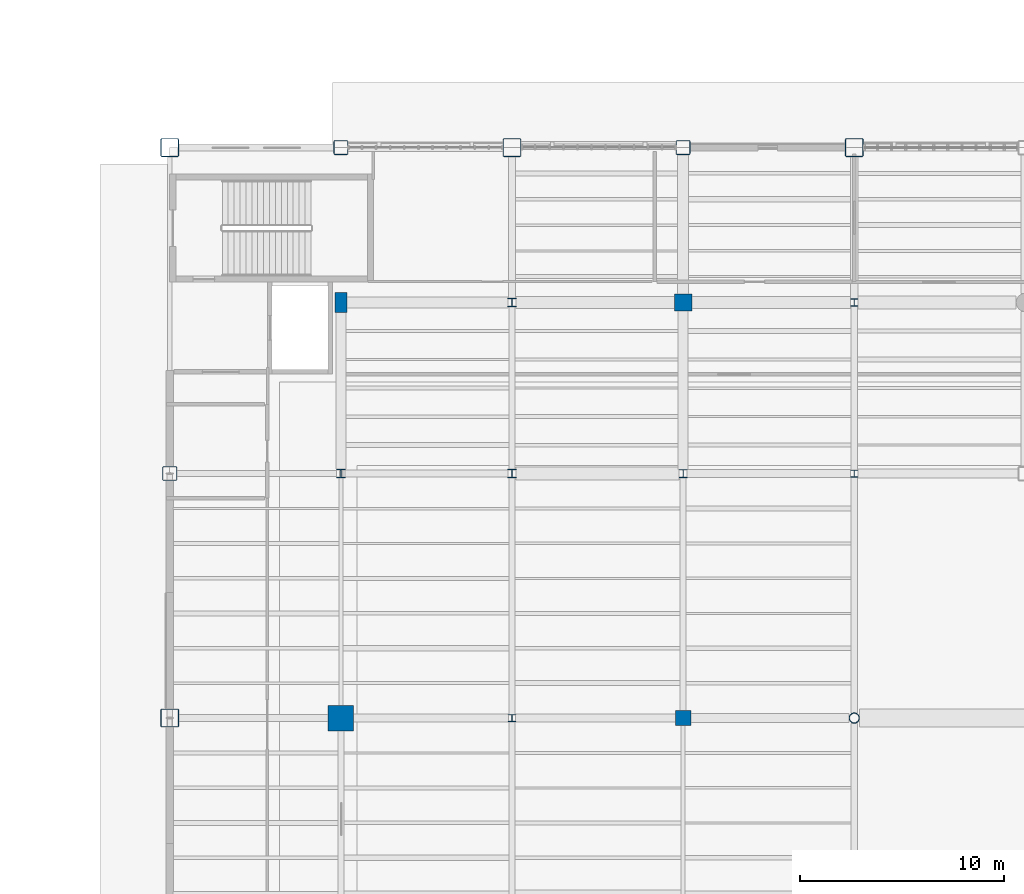
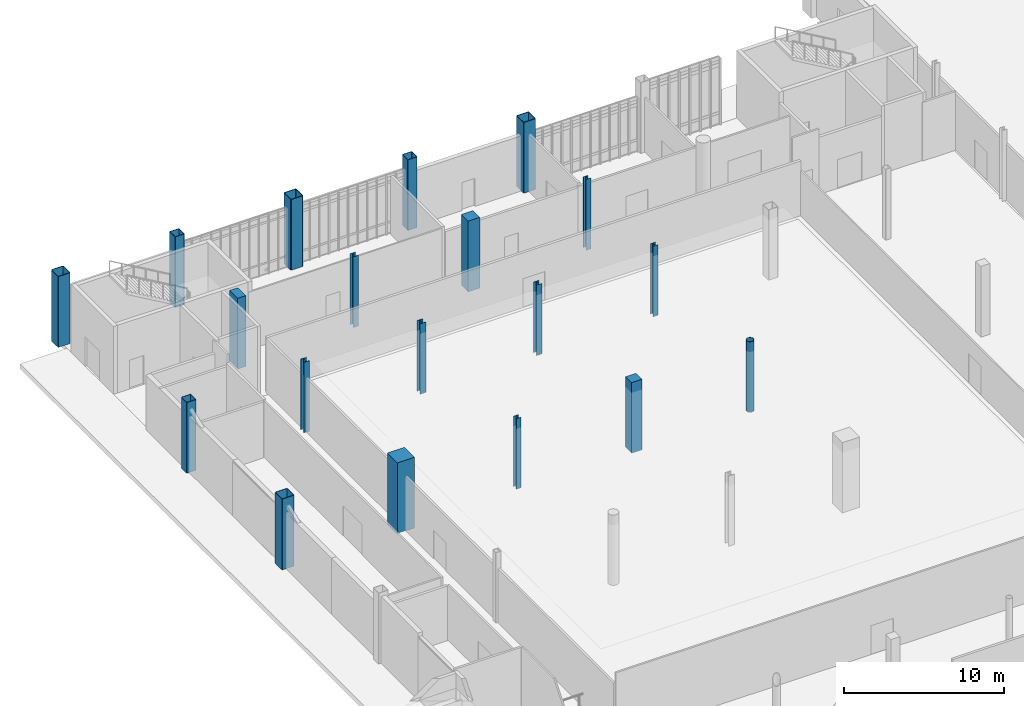
# One storey, part 8 of 111: 19 columns.
"""IFC4 building model written with IfcOpenShell, lengths in metres."""

from ifc_helpers import new_model, si_unit, direction, frame, origin, origin_2d, place, context, subcontext, project, spatial, rectangle, hollow_rectangle, hollow_circle, i_section, extrude, material, material_profile, profile_set, type_object, element, save


model = new_model("IFC4")

# Units and contexts
model_context = context("Model", 3, precision=1e-05, world=origin(), true_north=direction((0.0, 1.0)))
body_context = subcontext(model_context, "Body", "Model", "MODEL_VIEW")
ifc_project = project(units=[si_unit("LENGTHUNIT", "METRE"), si_unit("AREAUNIT", "SQUARE_METRE"), si_unit("VOLUMEUNIT", "CUBIC_METRE"), si_unit("PLANEANGLEUNIT", "RADIAN"), si_unit("MASSUNIT", "GRAM", prefix="KILO")], contexts=[model_context])

# Site, building, storey
site_placement = place(None, origin())
site = spatial("IfcSite", under=ifc_project, at=site_placement, CompositionType="ELEMENT")
building_placement = place(site_placement, origin())
building = spatial("IfcBuilding", under=site, at=building_placement, Name="Larkvane Passage Sports Hall", CompositionType="ELEMENT")
storey_placement = place(building_placement, origin())
storey = spatial("IfcBuildingStorey", under=building, at=storey_placement, Name="L00", CompositionType="ELEMENT", Elevation=0.0)

# Columns
ifc_material_1 = material(Name="Concrete C50/60", Category="concrete")
ifc_material_profile_1 = material_profile(ifc_material_1, rectangle(XDim=1.25, YDim=1.25, at=origin_2d()), Name="RC-COL-1250x1250")
ifc_profile_set_1 = profile_set([ifc_material_profile_1], Name="Concrete C50/60")
column_type_1 = type_object("IfcColumnType", Name="COL-RC-1250", PredefinedType="COLUMN", material=ifc_profile_set_1)
column_1_placement = place(storey_placement, frame((43.199951171875, 63.60009765625, 0.0), z_axis=(0.0, 0.0, 1.0), x_axis=(1.0, 0.0, 0.0)))
element("IfcColumn", 1, at=column_1_placement, inside=storey, type_object=column_type_1, Name="Column 7/H L00", PredefinedType="COLUMN", context=body_context, shape_type="SweptSolid", body=[
    extrude(rectangle(XDim=1.25, YDim=1.25, at=origin_2d()), origin(), (0.0, 0.0, 1.0), 5.39990234375),
])
ifc_material_2 = material(Name="Concrete C40/50", Category="concrete")
ifc_material_profile_2 = material_profile(ifc_material_2, rectangle(XDim=0.60009765625, YDim=1.0, at=origin_2d()), Name="RC-COL-600x1000")
ifc_profile_set_2 = profile_set([ifc_material_profile_2], Name="Concrete C40/50")
column_type_2 = type_object("IfcColumnType", Name="COL-RC-600x1000", PredefinedType="COLUMN", material=ifc_profile_set_2)
column_2_placement = place(storey_placement, frame((43.199951171875, 84.0, 0.0), z_axis=(0.0, 0.0, 1.0), x_axis=(1.0, 0.0, 0.0)))
element("IfcColumn", 2, at=column_2_placement, inside=storey, type_object=column_type_2, Name="Column 7/K L00", PredefinedType="COLUMN", context=body_context, shape_type="SweptSolid", body=[
    extrude(rectangle(XDim=0.60009765625, YDim=1.0, at=origin_2d()), origin(), (0.0, 0.0, 1.0), 5.39990234375),
])
ifc_material_profile_3 = material_profile(ifc_material_2, rectangle(XDim=0.75, YDim=0.75, at=origin_2d()), Name="RC-COL-750x750")
ifc_profile_set_3 = profile_set([ifc_material_profile_3], Name="Concrete C40/50")
column_type_3 = type_object("IfcColumnType", Name="COL-RC-750", PredefinedType="COLUMN", material=ifc_profile_set_3)
column_3_placement = place(storey_placement, frame((60.0, 63.60009765625, 0.0), z_axis=(0.0, 0.0, 1.0), x_axis=(1.0, 0.0, 0.0)))
element("IfcColumn", 3, at=column_3_placement, inside=storey, type_object=column_type_3, Name="Column 9/H L00", PredefinedType="COLUMN", context=body_context, shape_type="SweptSolid", body=[
    extrude(rectangle(XDim=0.75, YDim=0.75, at=origin_2d()), origin(), (0.0, 0.0, 1.0), 5.39990234375),
])
ifc_material_profile_4 = material_profile(ifc_material_1, rectangle(XDim=0.85009765625, YDim=0.85009765625, at=origin_2d()), Name="RC-COL-850x850")
ifc_profile_set_4 = profile_set([ifc_material_profile_4], Name="Concrete C50/60")
column_type_4 = type_object("IfcColumnType", Name="COL-RC-850", PredefinedType="COLUMN", material=ifc_profile_set_4)
column_4_placement = place(storey_placement, frame((60.0, 84.0, 0.0), z_axis=(0.0, 0.0, 1.0), x_axis=(1.0, 0.0, 0.0)))
element("IfcColumn", 4, at=column_4_placement, inside=storey, type_object=column_type_4, Name="Column 9/K L00", PredefinedType="COLUMN", context=body_context, shape_type="SweptSolid", body=[
    extrude(rectangle(XDim=0.85009765625, YDim=0.85009765625, at=origin_2d()), origin(), (0.0, 0.0, 1.0), 5.39990234375),
])
ifc_material_3 = material(Name="Steel S460N", Category="steel")
ifc_material_profile_5 = material_profile(ifc_material_3, hollow_rectangle(XDim=0.699951171875, YDim=0.699951171875, WallThickness=0.028076171875, InnerFilletRadius=0.028076171875, OuterFilletRadius=0.055908203125, at=origin_2d()), Name="BOX-700x700x28")
ifc_profile_set_5 = profile_set([ifc_material_profile_5], Name="Steel S460N")
column_type_5 = type_object("IfcColumnType", Name="COL-STL-BOX700", PredefinedType="COLUMN", material=ifc_profile_set_5)
for number, where, z_axis, x_axis, name in (
    (5, (34.800048828125, 75.60009765625, 0.0), (0.0, 0.0, 1.0), (1.0, 0.0, 0.0), "Column 6/J L00"),
    (6, (43.199951171875, 91.60009765625, 0.0), (0.0, 0.0, 1.0), (1.0, 0.0, 0.0), "Column 7/L L00"),
    (7, (60.0, 91.60009765625, 0.0), (0.0, 0.0, 1.0), (1.0, 0.0, 0.0), "Column 9/L L00"),
):
    element("IfcColumn", number, at=place(storey_placement, frame(where, z_axis=z_axis, x_axis=x_axis)), inside=storey, type_object=column_type_5, Name=name, PredefinedType="COLUMN", context=body_context, shape_type="SweptSolid", body=[
        extrude(hollow_rectangle(XDim=0.699951171875, YDim=0.699951171875, WallThickness=0.028076171875, InnerFilletRadius=0.028076171875, OuterFilletRadius=0.055908203125, at=origin_2d()), origin(), (0.0, 0.0, 1.0), 5.39990234375),
    ])
ifc_material_profile_6 = material_profile(ifc_material_3, hollow_rectangle(XDim=0.89990234375, YDim=0.89990234375, WallThickness=0.035888671875, InnerFilletRadius=0.035888671875, OuterFilletRadius=0.072021484375, at=origin_2d()), Name="BOX-900x900x36")
ifc_profile_set_6 = profile_set([ifc_material_profile_6], Name="Steel S460N")
column_type_6 = type_object("IfcColumnType", Name="COL-STL-BOX900", PredefinedType="COLUMN", material=ifc_profile_set_6)
for number, where, z_axis, x_axis, name in (
    (8, (34.800048828125, 63.60009765625, 0.0), (0.0, 0.0, 1.0), (1.0, 0.0, 0.0), "Column 6/H L00"),
    (9, (34.800048828125, 91.60009765625, 0.0), (0.0, 0.0, 1.0), (1.0, 0.0, 0.0), "Column 6/L L00"),
    (10, (51.60009765625, 91.60009765625, 0.0), (0.0, 0.0, 1.0), (1.0, 0.0, 0.0), "Column 8/L L00"),
    (11, (68.39990234375, 91.60009765625, 0.0), (0.0, 0.0, 1.0), (1.0, 0.0, 0.0), "Column 10/L L00"),
):
    element("IfcColumn", number, at=place(storey_placement, frame(where, z_axis=z_axis, x_axis=x_axis)), inside=storey, type_object=column_type_6, Name=name, PredefinedType="COLUMN", context=body_context, shape_type="SweptSolid", body=[
        extrude(hollow_rectangle(XDim=0.89990234375, YDim=0.89990234375, WallThickness=0.035888671875, InnerFilletRadius=0.035888671875, OuterFilletRadius=0.072021484375, at=origin_2d()), origin(), (0.0, 0.0, 1.0), 5.39990234375),
    ])
ifc_material_profile_7 = material_profile(ifc_material_3, hollow_circle(Radius=0.25390625, WallThickness=0.01904296875, at=origin_2d()), Name="CHS-508.0x19.0")
ifc_profile_set_7 = profile_set([ifc_material_profile_7], Name="Steel S460N")
column_type_7 = type_object("IfcColumnType", Name="COL-STL-CHS508", PredefinedType="COLUMN", material=ifc_profile_set_7)
column_5_placement = place(storey_placement, frame((68.39990234375, 63.60009765625, 0.0), z_axis=(0.0, 0.0, 1.0), x_axis=(1.0, 0.0, 0.0)))
element("IfcColumn", 12, at=column_5_placement, inside=storey, type_object=column_type_7, Name="Column 10/H L00", PredefinedType="COLUMN", context=body_context, shape_type="SweptSolid", body=[
    extrude(hollow_circle(Radius=0.25390625, WallThickness=0.01904296875, at=origin_2d()), origin(), (0.0, 0.0, 1.0), 5.39990234375),
])
ifc_material_4 = material(Name="Steel S355JR", Category="steel")
ifc_material_profile_8 = material_profile(ifc_material_4, i_section(OverallWidth=0.35009765625, OverallDepth=0.35009765625, WebThickness=0.011962890625, FlangeThickness=0.01904296875, FilletRadius=0.012939453125, at=origin_2d()), Name="H-350x350x12x19")
ifc_profile_set_8 = profile_set([ifc_material_profile_8], Name="Steel S355JR")
column_type_8 = type_object("IfcColumnType", Name="COL-STL-H350", PredefinedType="COLUMN", material=ifc_profile_set_8)
for number, where, z_axis, x_axis, name in (
    (13, (51.60009765625, 63.60009765625, 0.0), (0.0, 0.0, 1.0), (1.0, 0.0, 0.0), "Column 8/H L00"),
    (14, (68.39990234375, 75.60009765625, 0.0), (0.0, 0.0, 1.0), (1.0, 0.0, 0.0), "Column 10/J L00"),
    (15, (68.39990234375, 84.0, 0.0), (0.0, 0.0, 1.0), (1.0, 0.0, 0.0), "Column 10/K L00"),
):
    element("IfcColumn", number, at=place(storey_placement, frame(where, z_axis=z_axis, x_axis=x_axis)), inside=storey, type_object=column_type_8, Name=name, PredefinedType="COLUMN", context=body_context, shape_type="SweptSolid", body=[
        extrude(i_section(OverallWidth=0.35009765625, OverallDepth=0.35009765625, WebThickness=0.011962890625, FlangeThickness=0.01904296875, FilletRadius=0.012939453125, at=origin_2d()), origin(), (0.0, 0.0, 1.0), 5.39990234375),
    ])
ifc_material_profile_9 = material_profile(ifc_material_4, i_section(OverallWidth=0.39990234375, OverallDepth=0.39990234375, WebThickness=0.012939453125, FlangeThickness=0.02099609375, FilletRadius=0.02197265625, at=origin_2d()), Name="H-400x400x13x21")
ifc_profile_set_9 = profile_set([ifc_material_profile_9], Name="Steel S355JR")
column_type_9 = type_object("IfcColumnType", Name="COL-STL-H400", PredefinedType="COLUMN", material=ifc_profile_set_9)
for number, where, z_axis, x_axis, name in (
    (16, (51.60009765625, 84.0, 0.0), (0.0, 0.0, 1.0), (1.0, 0.0, 0.0), "Column 8/K L00"),
    (17, (60.0, 75.60009765625, 0.0), (0.0, 0.0, 1.0), (1.0, 0.0, 0.0), "Column 9/J L00"),
):
    element("IfcColumn", number, at=place(storey_placement, frame(where, z_axis=z_axis, x_axis=x_axis)), inside=storey, type_object=column_type_9, Name=name, PredefinedType="COLUMN", context=body_context, shape_type="SweptSolid", body=[
        extrude(i_section(OverallWidth=0.39990234375, OverallDepth=0.39990234375, WebThickness=0.012939453125, FlangeThickness=0.02099609375, FilletRadius=0.02197265625, at=origin_2d()), origin(), (0.0, 0.0, 1.0), 5.39990234375),
    ])
ifc_material_profile_10 = material_profile(ifc_material_3, i_section(OverallWidth=0.405029296875, OverallDepth=0.4140625, WebThickness=0.01806640625, FlangeThickness=0.028076171875, FilletRadius=0.02197265625, at=origin_2d()), Name="H-414x405x18x28")
ifc_profile_set_10 = profile_set([ifc_material_profile_10], Name="Steel S460N")
column_type_10 = type_object("IfcColumnType", Name="COL-STL-H414", PredefinedType="COLUMN", material=ifc_profile_set_10)
column_6_placement = place(storey_placement, frame((51.60009765625, 75.60009765625, 0.0), z_axis=(0.0, 0.0, 1.0), x_axis=(1.0, 0.0, 0.0)))
element("IfcColumn", 18, at=column_6_placement, inside=storey, type_object=column_type_10, Name="Column 8/J L00", PredefinedType="COLUMN", context=body_context, shape_type="SweptSolid", body=[
    extrude(i_section(OverallWidth=0.405029296875, OverallDepth=0.4140625, WebThickness=0.01806640625, FlangeThickness=0.028076171875, FilletRadius=0.02197265625, at=origin_2d()), origin(), (0.0, 0.0, 1.0), 5.39990234375),
])
ifc_material_profile_11 = material_profile(ifc_material_3, i_section(OverallWidth=0.406982421875, OverallDepth=0.427978515625, WebThickness=0.02001953125, FlangeThickness=0.034912109375, FilletRadius=0.02197265625, at=origin_2d()), Name="H-428x407x20x35")
ifc_profile_set_11 = profile_set([ifc_material_profile_11], Name="Steel S460N")
column_type_11 = type_object("IfcColumnType", Name="COL-STL-H428", PredefinedType="COLUMN", material=ifc_profile_set_11)
column_7_placement = place(storey_placement, frame((43.199951171875, 75.60009765625, 0.0), z_axis=(0.0, 0.0, 1.0), x_axis=(1.0, 0.0, 0.0)))
element("IfcColumn", 19, at=column_7_placement, inside=storey, type_object=column_type_11, Name="Column 7/J L00", PredefinedType="COLUMN", context=body_context, shape_type="SweptSolid", body=[
    extrude(i_section(OverallWidth=0.406982421875, OverallDepth=0.427978515625, WebThickness=0.02001953125, FlangeThickness=0.034912109375, FilletRadius=0.02197265625, at=origin_2d()), origin(), (0.0, 0.0, 1.0), 5.39990234375),
])

save(model, "model.ifc")
